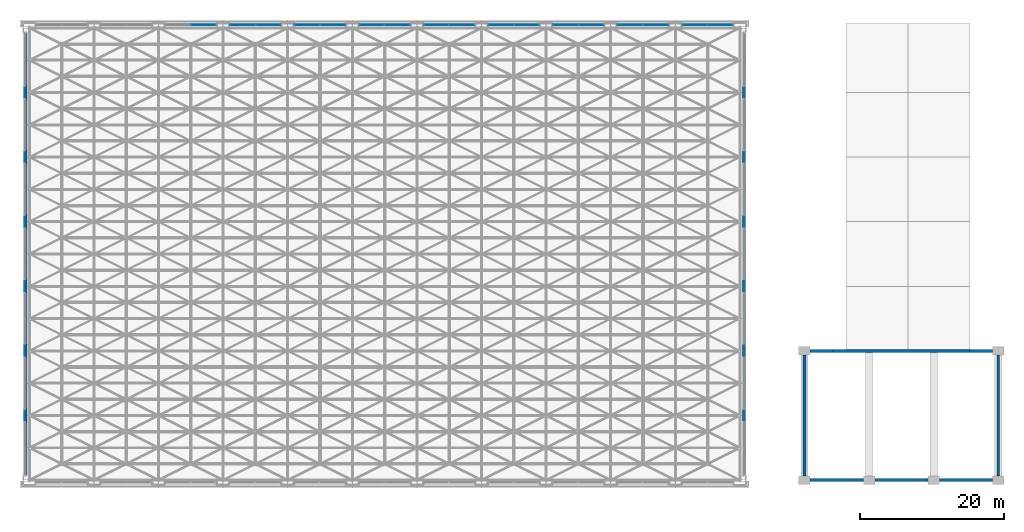
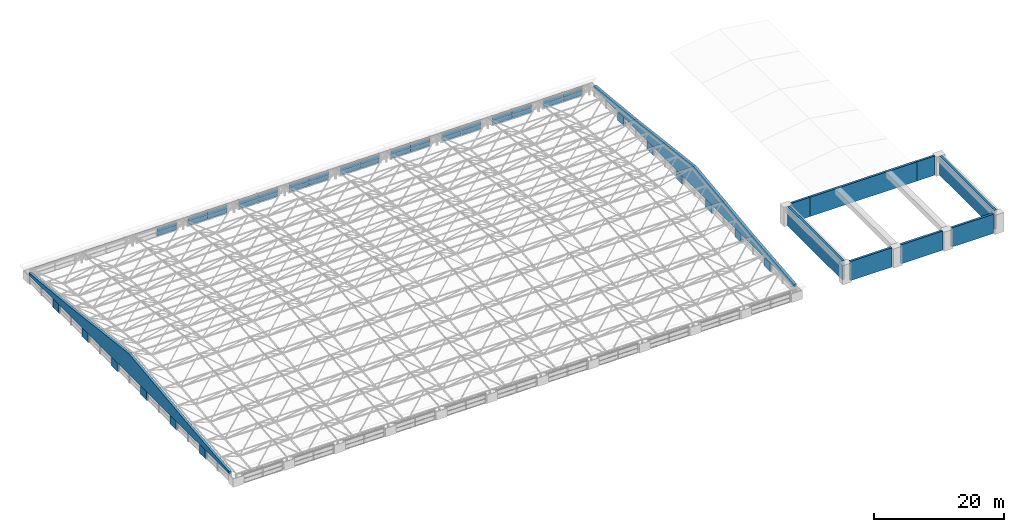
# One storey, part 26 of 53: 34 plates, 22 walls, 9 elements without a shape of their own.
"""IFC4 building model written with IfcOpenShell, lengths in metres."""

import ifcopenshell
import ifcopenshell.guid

model = None  # the IFC model being written
_history = None  # IfcOwnerHistory: only IFC2X3 demands one
_inside = {}  # id of a spatial element -> (the spatial element, [elements in it])
_under = {}  # id of a project, library or spatial element -> (it, [spatial elements below it])
_declared = {}  # id of a project -> (the project, [libraries it declares])
_typed = {}  # id of a type object -> (the type object, [elements of that type])
_made_of = {}  # id of a material, layer set ... -> (it, [elements and type objects made of it])


def new_model(schema):
    """Start an empty IFC model of exactly this schema.

    Asked for "IFC4X3", IfcOpenShell would pick the latest addendum, in which some entities
    have other attributes; the version numbers below select the first issue.
    IFC2X3 requires an IfcOwnerHistory on every rooted entity: one is made here for all.
    """
    global model, _history
    if schema == "IFC4X3":
        model = ifcopenshell.file(schema_version=(4, 3, 0, 0))
    else:
        model = ifcopenshell.file(schema=schema)
    _inside.clear()
    _under.clear()
    _declared.clear()
    _typed.clear()
    _made_of.clear()
    _history = None
    if model.schema == "IFC2X3":
        org = make("IfcOrganization", Name="unknown")
        user = make(
            "IfcPersonAndOrganization",
            ThePerson=make("IfcPerson", FamilyName="unknown"),
            TheOrganization=org,
        )
        app = make(
            "IfcApplication",
            ApplicationDeveloper=org,
            Version="unknown",
            ApplicationFullName="unknown",
            ApplicationIdentifier="unknown",
        )
        _history = make(
            "IfcOwnerHistory",
            OwningUser=user,
            OwningApplication=app,
            ChangeAction="ADDED",
            CreationDate=0,
        )
    return model


def make(cls, **values):
    """One entity of the class cls with the attributes given. An attribute that is None is left unset."""
    return model.create_entity(
        cls, **{name: value for name, value in values.items() if value is not None}
    )


def rooted(cls, **values):
    """An entity with a GlobalId (a new one), such as an element, a storey or a relation."""
    return make(cls, GlobalId=ifcopenshell.guid.new(), OwnerHistory=_history, **values)


def si_unit(unit_type, name, prefix=None):
    """IfcSIUnit, for example si_unit("LENGTHUNIT", "METRE", prefix="MILLI")."""
    return make("IfcSIUnit", UnitType=unit_type, Prefix=prefix, Name=name)


def assignment(units):
    """IfcUnitAssignment: the units of a project."""
    return None if units is None else make("IfcUnitAssignment", Units=units)


def point(xyz):
    """IfcCartesianPoint."""
    return None if xyz is None else make("IfcCartesianPoint", Coordinates=xyz)


def direction(xyz):
    """IfcDirection."""
    return None if xyz is None else make("IfcDirection", DirectionRatios=xyz)


def frame(location, z_axis=None, x_axis=None):
    """IfcAxis2Placement3D, a coordinate frame: its origin and axes. An axis left out is left unset."""
    return make(
        "IfcAxis2Placement3D",
        Location=point(location),
        Axis=direction(z_axis),
        RefDirection=direction(x_axis),
    )


def frame_2d(location, x_axis=None):
    """IfcAxis2Placement2D, a coordinate frame in the plane: its origin and x axis."""
    return make(
        "IfcAxis2Placement2D", Location=point(location), RefDirection=direction(x_axis)
    )


def origin():
    """The frame at (0, 0, 0) with its axes left unset."""
    return frame((0.0, 0.0, 0.0))


def origin_2d():
    """The frame at (0, 0) in the plane with its x axis left unset."""
    return frame_2d((0.0, 0.0))


def place(relative_to, where):
    """IfcLocalPlacement: puts the frame where relative to a parent placement (None: the world)."""
    return make(
        "IfcLocalPlacement", PlacementRelTo=relative_to, RelativePlacement=where
    )


def context(
    kind, dimensions, precision=None, world=None, true_north=None, identifier=None
):
    """IfcGeometricRepresentationContext, for example the 3D "Model" context."""
    return make(
        "IfcGeometricRepresentationContext",
        ContextIdentifier=identifier,
        ContextType=kind,
        CoordinateSpaceDimension=dimensions,
        Precision=precision,
        WorldCoordinateSystem=world,
        TrueNorth=true_north,
    )


def subcontext(parent, identifier, kind, view, scale=None):
    """IfcGeometricRepresentationSubContext, for example "Body" below "Model"."""
    return make(
        "IfcGeometricRepresentationSubContext",
        ContextIdentifier=identifier,
        ContextType=kind,
        ParentContext=parent,
        TargetScale=scale,
        TargetView=view,
    )


def project(units=None, contexts=None):
    """IfcProject with its units and contexts."""
    return rooted(
        "IfcProject",
        Name="project",
        RepresentationContexts=contexts,
        UnitsInContext=assignment(units),
    )


def spatial(cls, under=None, at=None, **own):
    """A site, building, storey or space (cls), placed at a placement, below another one or the project."""
    s = rooted(cls, ObjectPlacement=at, **own)
    if under is not None:
        _under.setdefault(under.id(), (under, []))[1].append(s)
    return s


def polyline(points):
    """IfcPolyline through the points."""
    return make("IfcPolyline", Points=[point(p) for p in points])


def profile(cls, at=None, kind="AREA", **sizes):
    """A parametric profile (cls). Its sizes go by their IFC names, for example OverallWidth=200.0."""
    return make(cls, ProfileType=kind, Position=at, **sizes)


def rectangle(**sizes):
    """IfcRectangleProfileDef."""
    return profile("IfcRectangleProfileDef", **sizes)


def outline(outer, holes=None, kind="AREA"):
    """IfcArbitraryClosedProfileDef: a profile drawn as a closed curve; with holes, ...WithVoids."""
    if holes is None:
        return make("IfcArbitraryClosedProfileDef", ProfileType=kind, OuterCurve=outer)
    return make(
        "IfcArbitraryProfileDefWithVoids",
        ProfileType=kind,
        OuterCurve=outer,
        InnerCurves=holes,
    )


def extrude(swept, where, along, depth):
    """IfcExtrudedAreaSolid: the profile swept, set in the frame where, extruded along a direction by depth."""
    return make(
        "IfcExtrudedAreaSolid",
        SweptArea=swept,
        Position=where,
        ExtrudedDirection=direction(along),
        Depth=depth,
    )


def shape(context_of_items, identifier, shape_type, items):
    """IfcShapeRepresentation: the items that make up one representation, for example the "Body"."""
    return make(
        "IfcShapeRepresentation",
        ContextOfItems=context_of_items,
        RepresentationIdentifier=identifier,
        RepresentationType=shape_type,
        Items=items,
    )


def material(Name=None, Category=None):
    """IfcMaterial."""
    return make("IfcMaterial", Name=Name, Category=Category)


def layer(
    of_material, thickness, ventilated=None, Name=None, Category=None, Priority=None
):
    """IfcMaterialLayer: one layer of a wall or slab, of a material (None: an air gap)."""
    return make(
        "IfcMaterialLayer",
        Material=of_material,
        LayerThickness=thickness,
        IsVentilated=ventilated,
        Name=Name,
        Category=Category,
        Priority=Priority,
    )


def layer_set(layers, Name=None):
    """IfcMaterialLayerSet."""
    return make("IfcMaterialLayerSet", MaterialLayers=layers, LayerSetName=Name)


def made_of(thing, what):
    """Note that an element or type object is made of a material, layer set ...; save() writes the relation."""
    if what is not None:
        _made_of.setdefault(what.id(), (what, []))[1].append(thing)
    return thing


def type_object(cls, material=None, **own):
    """A type object (cls), such as IfcWallType, which elements share."""
    return made_of(rooted(cls, **own), material)


def element(
    cls,
    number,
    at=None,
    inside=None,
    cuts=None,
    type_object=None,
    material=None,
    context=None,
    identifier="Body",
    shape_type=None,
    held_by="IfcProductDefinitionShape",
    body=None,
    shapes=None,
    **own,
):
    """One element of the class cls, such as IfcWall. Its Tag is "e" and its number.

    at: its placement. inside: the storey or other place that contains it. cuts: it is an
    opening in that element (IfcRelVoidsElement). A single representation is given by context,
    identifier, shape_type and body (its items); several are given by shapes. held_by: the class
    of the entity that holds the representations. save() writes the other relations.
    """
    e = rooted(cls, Tag="e%d" % number, ObjectPlacement=at, **own)
    if body is not None:
        shapes = [shape(context, identifier, shape_type, body)]
    if shapes is not None:
        e.Representation = make(held_by, Representations=shapes)
    if inside is not None:
        _inside.setdefault(inside.id(), (inside, []))[1].append(e)
    if cuts is not None:
        rooted(
            "IfcRelVoidsElement", RelatingBuildingElement=cuts, RelatedOpeningElement=e
        )
    if type_object is not None:
        _typed.setdefault(type_object.id(), (type_object, []))[1].append(e)
    return made_of(e, material)


def aggregate(whole, parts):
    """IfcRelAggregates: a whole, such as a stair, and the parts it consists of."""
    return rooted("IfcRelAggregates", RelatingObject=whole, RelatedObjects=parts)


def save(model, path):
    """Write the relations noted so far, then the file.

    IfcRelAggregates (storeys below a building ...), IfcRelContainedInSpatialStructure (elements
    in a storey), IfcRelDefinesByType, IfcRelAssociatesMaterial and IfcRelDeclares: one each for
    every whole, place, type object, material and project.
    """
    for whole, parts in _under.values():
        aggregate(whole, parts)
    for where, things in _inside.values():
        rooted(
            "IfcRelContainedInSpatialStructure",
            RelatedElements=things,
            RelatingStructure=where,
        )
    for kind, things in _typed.values():
        rooted("IfcRelDefinesByType", RelatedObjects=things, RelatingType=kind)
    for what, things in _made_of.values():
        rooted("IfcRelAssociatesMaterial", RelatedObjects=things, RelatingMaterial=what)
    for by, libraries in _declared.values():
        rooted("IfcRelDeclares", RelatingContext=by, RelatedDefinitions=libraries)
    model.write(path)


model = new_model("IFC4")

# Units and contexts
model_context = context("Model", 3, precision=1e-05, world=origin(), true_north=direction((0.0, 1.0)))
body_context = subcontext(model_context, "Body", "Model", "MODEL_VIEW")
ifc_project = project(units=[si_unit("LENGTHUNIT", "METRE"), si_unit("AREAUNIT", "SQUARE_METRE"), si_unit("VOLUMEUNIT", "CUBIC_METRE"), si_unit("PLANEANGLEUNIT", "RADIAN"), si_unit("MASSUNIT", "GRAM", prefix="KILO")], contexts=[model_context])

# Site, building, storey
site_placement = place(None, origin())
site = spatial("IfcSite", under=ifc_project, at=site_placement, CompositionType="ELEMENT")
building_placement = place(site_placement, origin())
building = spatial("IfcBuilding", under=site, at=building_placement, Name="Aravalli Gate Trade Fair Centre", CompositionType="ELEMENT")
storey_placement = place(building_placement, frame((0.0, 0.0, 25.199951171875)))
storey = spatial("IfcBuildingStorey", under=building, at=storey_placement, Name="ROOF LEVEL 2", CompositionType="ELEMENT", Elevation=25.199951171875)

# Curtain wall, plates
ifc_material_1 = material(Name="Aluminium, glass and louvre", Category="aluminium")
curtain_wall_type = type_object("IfcCurtainWallType", Name="Hall crown curtain wall 3000 module", PredefinedType="NOTDEFINED", material=ifc_material_1)
curtain_wall_1_placement = place(storey_placement, origin())
curtain_wall_1 = element("IfcCurtainWall", 1, at=curtain_wall_1_placement, inside=storey, type_object=curtain_wall_type, Name="Hall north crown curtain wall bay 3 ROOF LEVEL 2", PredefinedType="NOTDEFINED")
ifc_material_2 = material(Name="Aluminium louvre blades", Category="aluminium")
ifc_layer_1 = layer(ifc_material_2, 0.06005859375)
ifc_layer_set_1 = layer_set([ifc_layer_1], Name="Aluminium louvre blades")
plate_type = type_object("IfcPlateType", Name="Hall curtain wall panel, louvre 60", PredefinedType="CURTAIN_PANEL", material=ifc_layer_set_1)
plate_1_placement = place(storey_placement, frame((30.260009765625, 109.375, 0.06005859375), z_axis=(0.0, 0.0, 1.0), x_axis=(1.0, 0.0, 0.0)))
plate_1 = element("IfcPlate", 2, at=plate_1_placement, type_object=plate_type, Name="HCW1 panel 2.1", PredefinedType="CURTAIN_PANEL", context=body_context, shape_type="SweptSolid", body=[
    extrude(rectangle(XDim=3.4599609375, YDim=0.06005859375, at=origin_2d()), origin(), (0.0, 0.0, 1.0), 0.7099609375),
])
plate_2_placement = place(storey_placement, frame((30.260009765625, 109.375, 0.830078125), z_axis=(0.0, 0.0, 1.0), x_axis=(1.0, 0.0, 0.0)))
plate_2 = element("IfcPlate", 3, at=plate_2_placement, type_object=plate_type, Name="HCW1 panel 2.2", PredefinedType="CURTAIN_PANEL", context=body_context, shape_type="SweptSolid", body=[
    extrude(rectangle(XDim=3.4599609375, YDim=0.06005859375, at=origin_2d()), origin(), (0.0, 0.0, 1.0), 0.7099609375),
])
aggregate(curtain_wall_1, [plate_1, plate_2])

curtain_wall_2_placement = place(storey_placement, origin())
curtain_wall_2 = element("IfcCurtainWall", 4, at=curtain_wall_2_placement, inside=storey, type_object=curtain_wall_type, Name="Hall north crown curtain wall bay 4 ROOF LEVEL 2", PredefinedType="NOTDEFINED")
plate_3_placement = place(storey_placement, frame((35.739990234375, 109.375, 0.06005859375), z_axis=(0.0, 0.0, 1.0), x_axis=(1.0, 0.0, 0.0)))
plate_3 = element("IfcPlate", 5, at=plate_3_placement, type_object=plate_type, Name="HCW1 panel 1.1", PredefinedType="CURTAIN_PANEL", context=body_context, shape_type="SweptSolid", body=[
    extrude(rectangle(XDim=3.4599609375, YDim=0.06005859375, at=origin_2d()), origin(), (0.0, 0.0, 1.0), 0.7099609375),
])
plate_4_placement = place(storey_placement, frame((35.739990234375, 109.375, 0.830078125), z_axis=(0.0, 0.0, 1.0), x_axis=(1.0, 0.0, 0.0)))
plate_4 = element("IfcPlate", 6, at=plate_4_placement, type_object=plate_type, Name="HCW1 panel 1.2", PredefinedType="CURTAIN_PANEL", context=body_context, shape_type="SweptSolid", body=[
    extrude(rectangle(XDim=3.4599609375, YDim=0.06005859375, at=origin_2d()), origin(), (0.0, 0.0, 1.0), 0.7099609375),
])
plate_5_placement = place(storey_placement, frame((39.260009765625, 109.375, 0.06005859375), z_axis=(0.0, 0.0, 1.0), x_axis=(1.0, 0.0, 0.0)))
plate_5 = element("IfcPlate", 7, at=plate_5_placement, type_object=plate_type, Name="HCW1 panel 2.1", PredefinedType="CURTAIN_PANEL", context=body_context, shape_type="SweptSolid", body=[
    extrude(rectangle(XDim=3.4599609375, YDim=0.06005859375, at=origin_2d()), origin(), (0.0, 0.0, 1.0), 0.7099609375),
])
plate_6_placement = place(storey_placement, frame((39.260009765625, 109.375, 0.830078125), z_axis=(0.0, 0.0, 1.0), x_axis=(1.0, 0.0, 0.0)))
plate_6 = element("IfcPlate", 8, at=plate_6_placement, type_object=plate_type, Name="HCW1 panel 2.2", PredefinedType="CURTAIN_PANEL", context=body_context, shape_type="SweptSolid", body=[
    extrude(rectangle(XDim=3.4599609375, YDim=0.06005859375, at=origin_2d()), origin(), (0.0, 0.0, 1.0), 0.7099609375),
])
aggregate(curtain_wall_2, [plate_3, plate_4, plate_5, plate_6])

curtain_wall_3_placement = place(storey_placement, origin())
curtain_wall_3 = element("IfcCurtainWall", 9, at=curtain_wall_3_placement, inside=storey, type_object=curtain_wall_type, Name="Hall north crown curtain wall bay 5 ROOF LEVEL 2", PredefinedType="NOTDEFINED")
plate_7_placement = place(storey_placement, frame((44.739990234375, 109.375, 0.06005859375), z_axis=(0.0, 0.0, 1.0), x_axis=(1.0, 0.0, 0.0)))
plate_7 = element("IfcPlate", 10, at=plate_7_placement, type_object=plate_type, Name="HCW1 panel 1.1", PredefinedType="CURTAIN_PANEL", context=body_context, shape_type="SweptSolid", body=[
    extrude(rectangle(XDim=3.4599609375, YDim=0.06005859375, at=origin_2d()), origin(), (0.0, 0.0, 1.0), 0.7099609375),
])
plate_8_placement = place(storey_placement, frame((44.739990234375, 109.375, 0.830078125), z_axis=(0.0, 0.0, 1.0), x_axis=(1.0, 0.0, 0.0)))
plate_8 = element("IfcPlate", 11, at=plate_8_placement, type_object=plate_type, Name="HCW1 panel 1.2", PredefinedType="CURTAIN_PANEL", context=body_context, shape_type="SweptSolid", body=[
    extrude(rectangle(XDim=3.4599609375, YDim=0.06005859375, at=origin_2d()), origin(), (0.0, 0.0, 1.0), 0.7099609375),
])
plate_9_placement = place(storey_placement, frame((48.260009765625, 109.375, 0.06005859375), z_axis=(0.0, 0.0, 1.0), x_axis=(1.0, 0.0, 0.0)))
plate_9 = element("IfcPlate", 12, at=plate_9_placement, type_object=plate_type, Name="HCW1 panel 2.1", PredefinedType="CURTAIN_PANEL", context=body_context, shape_type="SweptSolid", body=[
    extrude(rectangle(XDim=3.4599609375, YDim=0.06005859375, at=origin_2d()), origin(), (0.0, 0.0, 1.0), 0.7099609375),
])
plate_10_placement = place(storey_placement, frame((48.260009765625, 109.375, 0.830078125), z_axis=(0.0, 0.0, 1.0), x_axis=(1.0, 0.0, 0.0)))
plate_10 = element("IfcPlate", 13, at=plate_10_placement, type_object=plate_type, Name="HCW1 panel 2.2", PredefinedType="CURTAIN_PANEL", context=body_context, shape_type="SweptSolid", body=[
    extrude(rectangle(XDim=3.4599609375, YDim=0.06005859375, at=origin_2d()), origin(), (0.0, 0.0, 1.0), 0.7099609375),
])
aggregate(curtain_wall_3, [plate_7, plate_8, plate_9, plate_10])

curtain_wall_4_placement = place(storey_placement, origin())
curtain_wall_4 = element("IfcCurtainWall", 14, at=curtain_wall_4_placement, inside=storey, type_object=curtain_wall_type, Name="Hall north crown curtain wall bay 6 ROOF LEVEL 2", PredefinedType="NOTDEFINED")
plate_11_placement = place(storey_placement, frame((53.739990234375, 109.375, 0.06005859375), z_axis=(0.0, 0.0, 1.0), x_axis=(1.0, 0.0, 0.0)))
plate_11 = element("IfcPlate", 15, at=plate_11_placement, type_object=plate_type, Name="HCW1 panel 1.1", PredefinedType="CURTAIN_PANEL", context=body_context, shape_type="SweptSolid", body=[
    extrude(rectangle(XDim=3.4599609375, YDim=0.06005859375, at=origin_2d()), origin(), (0.0, 0.0, 1.0), 0.7099609375),
])
plate_12_placement = place(storey_placement, frame((53.739990234375, 109.375, 0.830078125), z_axis=(0.0, 0.0, 1.0), x_axis=(1.0, 0.0, 0.0)))
plate_12 = element("IfcPlate", 16, at=plate_12_placement, type_object=plate_type, Name="HCW1 panel 1.2", PredefinedType="CURTAIN_PANEL", context=body_context, shape_type="SweptSolid", body=[
    extrude(rectangle(XDim=3.4599609375, YDim=0.06005859375, at=origin_2d()), origin(), (0.0, 0.0, 1.0), 0.7099609375),
])
plate_13_placement = place(storey_placement, frame((57.260009765625, 109.375, 0.06005859375), z_axis=(0.0, 0.0, 1.0), x_axis=(1.0, 0.0, 0.0)))
plate_13 = element("IfcPlate", 17, at=plate_13_placement, type_object=plate_type, Name="HCW1 panel 2.1", PredefinedType="CURTAIN_PANEL", context=body_context, shape_type="SweptSolid", body=[
    extrude(rectangle(XDim=3.4599609375, YDim=0.06005859375, at=origin_2d()), origin(), (0.0, 0.0, 1.0), 0.7099609375),
])
plate_14_placement = place(storey_placement, frame((57.260009765625, 109.375, 0.830078125), z_axis=(0.0, 0.0, 1.0), x_axis=(1.0, 0.0, 0.0)))
plate_14 = element("IfcPlate", 18, at=plate_14_placement, type_object=plate_type, Name="HCW1 panel 2.2", PredefinedType="CURTAIN_PANEL", context=body_context, shape_type="SweptSolid", body=[
    extrude(rectangle(XDim=3.4599609375, YDim=0.06005859375, at=origin_2d()), origin(), (0.0, 0.0, 1.0), 0.7099609375),
])
aggregate(curtain_wall_4, [plate_11, plate_12, plate_13, plate_14])

curtain_wall_5_placement = place(storey_placement, origin())
curtain_wall_5 = element("IfcCurtainWall", 19, at=curtain_wall_5_placement, inside=storey, type_object=curtain_wall_type, Name="Hall north crown curtain wall bay 7 ROOF LEVEL 2", PredefinedType="NOTDEFINED")
plate_15_placement = place(storey_placement, frame((62.739990234375, 109.375, 0.06005859375), z_axis=(0.0, 0.0, 1.0), x_axis=(1.0, 0.0, 0.0)))
plate_15 = element("IfcPlate", 20, at=plate_15_placement, type_object=plate_type, Name="HCW1 panel 1.1", PredefinedType="CURTAIN_PANEL", context=body_context, shape_type="SweptSolid", body=[
    extrude(rectangle(XDim=3.4599609375, YDim=0.06005859375, at=origin_2d()), origin(), (0.0, 0.0, 1.0), 0.7099609375),
])
plate_16_placement = place(storey_placement, frame((62.739990234375, 109.375, 0.830078125), z_axis=(0.0, 0.0, 1.0), x_axis=(1.0, 0.0, 0.0)))
plate_16 = element("IfcPlate", 21, at=plate_16_placement, type_object=plate_type, Name="HCW1 panel 1.2", PredefinedType="CURTAIN_PANEL", context=body_context, shape_type="SweptSolid", body=[
    extrude(rectangle(XDim=3.4599609375, YDim=0.06005859375, at=origin_2d()), origin(), (0.0, 0.0, 1.0), 0.7099609375),
])
plate_17_placement = place(storey_placement, frame((66.260009765625, 109.375, 0.06005859375), z_axis=(0.0, 0.0, 1.0), x_axis=(1.0, 0.0, 0.0)))
plate_17 = element("IfcPlate", 22, at=plate_17_placement, type_object=plate_type, Name="HCW1 panel 2.1", PredefinedType="CURTAIN_PANEL", context=body_context, shape_type="SweptSolid", body=[
    extrude(rectangle(XDim=3.4599609375, YDim=0.06005859375, at=origin_2d()), origin(), (0.0, 0.0, 1.0), 0.7099609375),
])
plate_18_placement = place(storey_placement, frame((66.260009765625, 109.375, 0.830078125), z_axis=(0.0, 0.0, 1.0), x_axis=(1.0, 0.0, 0.0)))
plate_18 = element("IfcPlate", 23, at=plate_18_placement, type_object=plate_type, Name="HCW1 panel 2.2", PredefinedType="CURTAIN_PANEL", context=body_context, shape_type="SweptSolid", body=[
    extrude(rectangle(XDim=3.4599609375, YDim=0.06005859375, at=origin_2d()), origin(), (0.0, 0.0, 1.0), 0.7099609375),
])
aggregate(curtain_wall_5, [plate_15, plate_16, plate_17, plate_18])

curtain_wall_6_placement = place(storey_placement, origin())
curtain_wall_6 = element("IfcCurtainWall", 24, at=curtain_wall_6_placement, inside=storey, type_object=curtain_wall_type, Name="Hall north crown curtain wall bay 8 ROOF LEVEL 2", PredefinedType="NOTDEFINED")
plate_19_placement = place(storey_placement, frame((71.739990234375, 109.375, 0.06005859375), z_axis=(0.0, 0.0, 1.0), x_axis=(1.0, 0.0, 0.0)))
plate_19 = element("IfcPlate", 25, at=plate_19_placement, type_object=plate_type, Name="HCW1 panel 1.1", PredefinedType="CURTAIN_PANEL", context=body_context, shape_type="SweptSolid", body=[
    extrude(rectangle(XDim=3.4599609375, YDim=0.06005859375, at=origin_2d()), origin(), (0.0, 0.0, 1.0), 0.7099609375),
])
plate_20_placement = place(storey_placement, frame((71.739990234375, 109.375, 0.830078125), z_axis=(0.0, 0.0, 1.0), x_axis=(1.0, 0.0, 0.0)))
plate_20 = element("IfcPlate", 26, at=plate_20_placement, type_object=plate_type, Name="HCW1 panel 1.2", PredefinedType="CURTAIN_PANEL", context=body_context, shape_type="SweptSolid", body=[
    extrude(rectangle(XDim=3.4599609375, YDim=0.06005859375, at=origin_2d()), origin(), (0.0, 0.0, 1.0), 0.7099609375),
])
plate_21_placement = place(storey_placement, frame((75.260009765625, 109.375, 0.06005859375), z_axis=(0.0, 0.0, 1.0), x_axis=(1.0, 0.0, 0.0)))
plate_21 = element("IfcPlate", 27, at=plate_21_placement, type_object=plate_type, Name="HCW1 panel 2.1", PredefinedType="CURTAIN_PANEL", context=body_context, shape_type="SweptSolid", body=[
    extrude(rectangle(XDim=3.4599609375, YDim=0.06005859375, at=origin_2d()), origin(), (0.0, 0.0, 1.0), 0.7099609375),
])
plate_22_placement = place(storey_placement, frame((75.260009765625, 109.375, 0.830078125), z_axis=(0.0, 0.0, 1.0), x_axis=(1.0, 0.0, 0.0)))
plate_22 = element("IfcPlate", 28, at=plate_22_placement, type_object=plate_type, Name="HCW1 panel 2.2", PredefinedType="CURTAIN_PANEL", context=body_context, shape_type="SweptSolid", body=[
    extrude(rectangle(XDim=3.4599609375, YDim=0.06005859375, at=origin_2d()), origin(), (0.0, 0.0, 1.0), 0.7099609375),
])
aggregate(curtain_wall_6, [plate_19, plate_20, plate_21, plate_22])

curtain_wall_7_placement = place(storey_placement, origin())
curtain_wall_7 = element("IfcCurtainWall", 29, at=curtain_wall_7_placement, inside=storey, type_object=curtain_wall_type, Name="Hall north crown curtain wall bay 9 ROOF LEVEL 2", PredefinedType="NOTDEFINED")
plate_23_placement = place(storey_placement, frame((80.739990234375, 109.375, 0.06005859375), z_axis=(0.0, 0.0, 1.0), x_axis=(1.0, 0.0, 0.0)))
plate_23 = element("IfcPlate", 30, at=plate_23_placement, type_object=plate_type, Name="HCW1 panel 1.1", PredefinedType="CURTAIN_PANEL", context=body_context, shape_type="SweptSolid", body=[
    extrude(rectangle(XDim=3.4599609375, YDim=0.06005859375, at=origin_2d()), origin(), (0.0, 0.0, 1.0), 0.7099609375),
])
plate_24_placement = place(storey_placement, frame((80.739990234375, 109.375, 0.830078125), z_axis=(0.0, 0.0, 1.0), x_axis=(1.0, 0.0, 0.0)))
plate_24 = element("IfcPlate", 31, at=plate_24_placement, type_object=plate_type, Name="HCW1 panel 1.2", PredefinedType="CURTAIN_PANEL", context=body_context, shape_type="SweptSolid", body=[
    extrude(rectangle(XDim=3.4599609375, YDim=0.06005859375, at=origin_2d()), origin(), (0.0, 0.0, 1.0), 0.7099609375),
])
plate_25_placement = place(storey_placement, frame((84.260009765625, 109.375, 0.06005859375), z_axis=(0.0, 0.0, 1.0), x_axis=(1.0, 0.0, 0.0)))
plate_25 = element("IfcPlate", 32, at=plate_25_placement, type_object=plate_type, Name="HCW1 panel 2.1", PredefinedType="CURTAIN_PANEL", context=body_context, shape_type="SweptSolid", body=[
    extrude(rectangle(XDim=3.4599609375, YDim=0.06005859375, at=origin_2d()), origin(), (0.0, 0.0, 1.0), 0.7099609375),
])
plate_26_placement = place(storey_placement, frame((84.260009765625, 109.375, 0.830078125), z_axis=(0.0, 0.0, 1.0), x_axis=(1.0, 0.0, 0.0)))
plate_26 = element("IfcPlate", 33, at=plate_26_placement, type_object=plate_type, Name="HCW1 panel 2.2", PredefinedType="CURTAIN_PANEL", context=body_context, shape_type="SweptSolid", body=[
    extrude(rectangle(XDim=3.4599609375, YDim=0.06005859375, at=origin_2d()), origin(), (0.0, 0.0, 1.0), 0.7099609375),
])
aggregate(curtain_wall_7, [plate_23, plate_24, plate_25, plate_26])

curtain_wall_8_placement = place(storey_placement, origin())
curtain_wall_8 = element("IfcCurtainWall", 34, at=curtain_wall_8_placement, inside=storey, type_object=curtain_wall_type, Name="Hall north crown curtain wall bay 10 ROOF LEVEL 2", PredefinedType="NOTDEFINED")
plate_27_placement = place(storey_placement, frame((89.739990234375, 109.375, 0.06005859375), z_axis=(0.0, 0.0, 1.0), x_axis=(1.0, 0.0, 0.0)))
plate_27 = element("IfcPlate", 35, at=plate_27_placement, type_object=plate_type, Name="HCW1 panel 1.1", PredefinedType="CURTAIN_PANEL", context=body_context, shape_type="SweptSolid", body=[
    extrude(rectangle(XDim=3.4599609375, YDim=0.06005859375, at=origin_2d()), origin(), (0.0, 0.0, 1.0), 0.7099609375),
])
plate_28_placement = place(storey_placement, frame((89.739990234375, 109.375, 0.830078125), z_axis=(0.0, 0.0, 1.0), x_axis=(1.0, 0.0, 0.0)))
plate_28 = element("IfcPlate", 36, at=plate_28_placement, type_object=plate_type, Name="HCW1 panel 1.2", PredefinedType="CURTAIN_PANEL", context=body_context, shape_type="SweptSolid", body=[
    extrude(rectangle(XDim=3.4599609375, YDim=0.06005859375, at=origin_2d()), origin(), (0.0, 0.0, 1.0), 0.7099609375),
])
plate_29_placement = place(storey_placement, frame((93.260009765625, 109.375, 0.06005859375), z_axis=(0.0, 0.0, 1.0), x_axis=(1.0, 0.0, 0.0)))
plate_29 = element("IfcPlate", 37, at=plate_29_placement, type_object=plate_type, Name="HCW1 panel 2.1", PredefinedType="CURTAIN_PANEL", context=body_context, shape_type="SweptSolid", body=[
    extrude(rectangle(XDim=3.4599609375, YDim=0.06005859375, at=origin_2d()), origin(), (0.0, 0.0, 1.0), 0.7099609375),
])
plate_30_placement = place(storey_placement, frame((93.260009765625, 109.375, 0.830078125), z_axis=(0.0, 0.0, 1.0), x_axis=(1.0, 0.0, 0.0)))
plate_30 = element("IfcPlate", 38, at=plate_30_placement, type_object=plate_type, Name="HCW1 panel 2.2", PredefinedType="CURTAIN_PANEL", context=body_context, shape_type="SweptSolid", body=[
    extrude(rectangle(XDim=3.4599609375, YDim=0.06005859375, at=origin_2d()), origin(), (0.0, 0.0, 1.0), 0.7099609375),
])
aggregate(curtain_wall_8, [plate_27, plate_28, plate_29, plate_30])

curtain_wall_9_placement = place(storey_placement, origin())
curtain_wall_9 = element("IfcCurtainWall", 39, at=curtain_wall_9_placement, inside=storey, type_object=curtain_wall_type, Name="Hall north crown curtain wall bay 11 ROOF LEVEL 2", PredefinedType="NOTDEFINED")
plate_31_placement = place(storey_placement, frame((98.739990234375, 109.375, 0.06005859375), z_axis=(0.0, 0.0, 1.0), x_axis=(1.0, 0.0, 0.0)))
plate_31 = element("IfcPlate", 40, at=plate_31_placement, type_object=plate_type, Name="HCW1 panel 1.1", PredefinedType="CURTAIN_PANEL", context=body_context, shape_type="SweptSolid", body=[
    extrude(rectangle(XDim=3.4599609375, YDim=0.06005859375, at=origin_2d()), origin(), (0.0, 0.0, 1.0), 0.7099609375),
])
plate_32_placement = place(storey_placement, frame((98.739990234375, 109.375, 0.830078125), z_axis=(0.0, 0.0, 1.0), x_axis=(1.0, 0.0, 0.0)))
plate_32 = element("IfcPlate", 41, at=plate_32_placement, type_object=plate_type, Name="HCW1 panel 1.2", PredefinedType="CURTAIN_PANEL", context=body_context, shape_type="SweptSolid", body=[
    extrude(rectangle(XDim=3.4599609375, YDim=0.06005859375, at=origin_2d()), origin(), (0.0, 0.0, 1.0), 0.7099609375),
])
plate_33_placement = place(storey_placement, frame((102.260009765625, 109.375, 0.06005859375), z_axis=(0.0, 0.0, 1.0), x_axis=(1.0, 0.0, 0.0)))
plate_33 = element("IfcPlate", 42, at=plate_33_placement, type_object=plate_type, Name="HCW1 panel 2.1", PredefinedType="CURTAIN_PANEL", context=body_context, shape_type="SweptSolid", body=[
    extrude(rectangle(XDim=3.4599609375, YDim=0.06005859375, at=origin_2d()), origin(), (0.0, 0.0, 1.0), 0.7099609375),
])
plate_34_placement = place(storey_placement, frame((102.260009765625, 109.375, 0.830078125), z_axis=(0.0, 0.0, 1.0), x_axis=(1.0, 0.0, 0.0)))
plate_34 = element("IfcPlate", 43, at=plate_34_placement, type_object=plate_type, Name="HCW1 panel 2.2", PredefinedType="CURTAIN_PANEL", context=body_context, shape_type="SweptSolid", body=[
    extrude(rectangle(XDim=3.4599609375, YDim=0.06005859375, at=origin_2d()), origin(), (0.0, 0.0, 1.0), 0.7099609375),
])
aggregate(curtain_wall_9, [plate_31, plate_32, plate_33, plate_34])

# Walls
ifc_material_3 = material(Name="Concrete M40", Category="concrete")
ifc_layer_2 = layer(ifc_material_3, 0.39990234375)
ifc_layer_set_2 = layer_set([ifc_layer_2], Name="Concrete M40")
wall_type_1 = type_object("IfcWallType", Name="Congress RC wall 400", PredefinedType="SHEAR", material=ifc_layer_set_2)
for number, where, z_axis, x_axis, name in (
    (44, (114.0, 46.60009765625, 0.0), (0.0, 0.0, 1.0), (0.0, 1.0, 0.0), "Stage house wall line 114 ROOF LEVEL 2"),
    (45, (141.0, 46.60009765625, 0.0), (0.0, 0.0, 1.0), (0.0, 1.0, 0.0), "Stage house wall line 141 ROOF LEVEL 2"),
):
    element("IfcWall", number, at=place(storey_placement, frame(where, z_axis=z_axis, x_axis=x_axis)), inside=storey, type_object=wall_type_1, Name=name, PredefinedType="SHEAR", context=body_context, shape_type="SweptSolid", body=[
        extrude(rectangle(XDim=16.7998046875, YDim=0.39990234375, at=frame_2d((8.39990234375, 0.0))), origin(), (0.0, 0.0, 1.0), 3.60009765625),
    ])
for number, where, z_axis, x_axis, name in (
    (46, (114.800048828125, 64.0, 0.0), (0.0, 0.0, 1.0), (1.0, 0.0, 0.0), "Proscenium wall W ROOF LEVEL 2"),
    (47, (137.0, 64.0, 0.0), (0.0, 0.0, 1.0), (1.0, 0.0, 0.0), "Proscenium wall E ROOF LEVEL 2"),
):
    element("IfcWall", number, at=place(storey_placement, frame(where, z_axis=z_axis, x_axis=x_axis)), inside=storey, type_object=wall_type_1, Name=name, PredefinedType="SHEAR", context=body_context, shape_type="SweptSolid", body=[
        extrude(rectangle(XDim=3.199951171875, YDim=0.39990234375, at=frame_2d((1.60009765625, 0.0))), origin(), (0.0, 0.0, 1.0), 3.60009765625),
    ])
wall_1_placement = place(storey_placement, frame((118.0, 64.0, 0.0), z_axis=(0.0, 0.0, 1.0), x_axis=(1.0, 0.0, 0.0)))
element("IfcWall", 48, at=wall_1_placement, inside=storey, type_object=wall_type_1, Name="Proscenium wall above the opening ROOF LEVEL 2", PredefinedType="SHEAR", context=body_context, shape_type="SweptSolid", body=[
    extrude(rectangle(XDim=19.0, YDim=0.39990234375, at=frame_2d((9.5, 0.0))), origin(), (0.0, 0.0, 1.0), 3.60009765625),
])
ifc_layer_3 = layer(ifc_material_3, 0.25, Name="Structural wall")
ifc_material_4 = material(Name="Ventilated air cavity")
ifc_layer_4 = layer(ifc_material_4, 0.050048828125, ventilated=True, Name="Ventilated cavity")
ifc_material_5 = material(Name="Terracotta rainscreen", Category="masonry")
ifc_layer_5 = layer(ifc_material_5, 0.10009765625, Name="Rainscreen cladding")
ifc_layer_set_3 = layer_set([ifc_layer_3, ifc_layer_4, ifc_layer_5], Name="Congress external wall 400")
wall_type_2 = type_object("IfcWallType", Name="Congress external wall 400", PredefinedType="SOLIDWALL", material=ifc_layer_set_3)
for number, where, z_axis, x_axis, name in (
    (49, (114.800048828125, 46.0, 0.0), (0.0, 0.0, 1.0), (1.0, 0.0, 0.0), "Stage house south wall ROOF LEVEL 2 bay 2"),
    (50, (123.800048828125, 46.0, 0.0), (0.0, 0.0, 1.0), (1.0, 0.0, 0.0), "Stage house south wall ROOF LEVEL 2 bay 3"),
    (51, (132.800048828125, 46.0, 0.0), (0.0, 0.0, 1.0), (1.0, 0.0, 0.0), "Stage house south wall ROOF LEVEL 2 bay 4"),
):
    element("IfcWall", number, at=place(storey_placement, frame(where, z_axis=z_axis, x_axis=x_axis)), inside=storey, type_object=wall_type_2, Name=name, PredefinedType="SOLIDWALL", context=body_context, shape_type="SweptSolid", body=[
        extrude(rectangle(XDim=7.39990234375, YDim=0.39990234375, at=frame_2d((3.699951171875, 0.0))), origin(), (0.0, 0.0, 1.0), 3.60009765625),
    ])
ifc_layer_6 = layer(ifc_material_3, 0.25, Name="Structural wall")
ifc_layer_7 = layer(ifc_material_4, 0.10009765625, ventilated=True, Name="Ventilated cavity")
ifc_layer_8 = layer(ifc_material_5, 0.10009765625, Name="Rainscreen cladding")
ifc_layer_set_4 = layer_set([ifc_layer_6, ifc_layer_7, ifc_layer_8], Name="Hall external wall 450")
wall_type_3 = type_object("IfcWallType", Name="Hall external wall 450", PredefinedType="SOLIDWALL", material=ifc_layer_set_4)
for number, where, z_axis, x_axis, name in (
    (52, (5.425048828125, 54.10009765625, 0.0), (0.0, 0.0, 1.0), (0.0, 1.0, 0.0), "Hall west crown pier 1 ROOF LEVEL 2"),
    (53, (5.425048828125, 63.10009765625, 0.0), (0.0, 0.0, 1.0), (0.0, 1.0, 0.0), "Hall west crown pier 2 ROOF LEVEL 2"),
    (54, (5.425048828125, 72.10009765625, 0.0), (0.0, 0.0, 1.0), (0.0, 1.0, 0.0), "Hall west crown pier 3 ROOF LEVEL 2"),
    (55, (5.425048828125, 81.10009765625, 0.0), (0.0, 0.0, 1.0), (0.0, 1.0, 0.0), "Hall west crown pier 4 ROOF LEVEL 2"),
    (56, (5.425048828125, 90.10009765625, 0.0), (0.0, 0.0, 1.0), (0.0, 1.0, 0.0), "Hall west crown pier 5 ROOF LEVEL 2"),
    (57, (5.425048828125, 99.10009765625, 0.0), (0.0, 0.0, 1.0), (0.0, 1.0, 0.0), "Hall west crown pier 6 ROOF LEVEL 2"),
):
    element("IfcWall", number, at=place(storey_placement, frame(where, z_axis=z_axis, x_axis=x_axis)), inside=storey, type_object=wall_type_3, Name=name, PredefinedType="SOLIDWALL", context=body_context, shape_type="SweptSolid", body=[
        extrude(rectangle(XDim=1.7998046875, YDim=0.449951171875, at=frame_2d((0.89990234375, 0.0))), origin(), (0.0, 0.0, 1.0), 1.60009765625),
    ])
wall_2_placement = place(storey_placement, frame((5.425048828125, 46.75, 1.60009765625), z_axis=(0.0, 0.0, 1.0), x_axis=(0.0, 1.0, 0.0)))
element("IfcWall", 58, at=wall_2_placement, inside=storey, type_object=wall_type_3, Name="Hall west gable pediment ROOF LEVEL 2", PredefinedType="SOLIDWALL", context=body_context, shape_type="SweptSolid", body=[
    extrude(outline(polyline([(0.0, 0.0), (61.5, 0.0), (61.5, 0.411376953125), (57.75, 0.786376953125), (53.25, 1.236572265625), (48.75, 1.6865234375), (44.25, 2.236572265625), (39.75, 2.786376953125), (35.25, 3.326416015625), (30.75, 3.866455078125), (26.25, 3.326416015625), (21.75, 2.786376953125), (17.25, 2.236572265625), (12.75, 1.6865234375), (8.25, 1.236572265625), (3.75, 0.786376953125), (0.0, 0.411376953125), (0.0, 0.0)])), frame((0.0, 0.22509765625, 0.0), z_axis=(0.0, -1.0, 0.0), x_axis=(1.0, 0.0, 0.0)), (0.0, 0.0, 1.0), 0.449951171875),
])
for number, where, z_axis, x_axis, name in (
    (59, (105.574951171875, 54.10009765625, 0.0), (0.0, 0.0, 1.0), (0.0, 1.0, 0.0), "Hall east crown pier 1 ROOF LEVEL 2"),
    (60, (105.574951171875, 63.10009765625, 0.0), (0.0, 0.0, 1.0), (0.0, 1.0, 0.0), "Hall east crown pier 2 ROOF LEVEL 2"),
    (61, (105.574951171875, 72.10009765625, 0.0), (0.0, 0.0, 1.0), (0.0, 1.0, 0.0), "Hall east crown pier 3 ROOF LEVEL 2"),
    (62, (105.574951171875, 81.10009765625, 0.0), (0.0, 0.0, 1.0), (0.0, 1.0, 0.0), "Hall east crown pier 4 ROOF LEVEL 2"),
    (63, (105.574951171875, 90.10009765625, 0.0), (0.0, 0.0, 1.0), (0.0, 1.0, 0.0), "Hall east crown pier 5 ROOF LEVEL 2"),
    (64, (105.574951171875, 99.10009765625, 0.0), (0.0, 0.0, 1.0), (0.0, 1.0, 0.0), "Hall east crown pier 6 ROOF LEVEL 2"),
):
    element("IfcWall", number, at=place(storey_placement, frame(where, z_axis=z_axis, x_axis=x_axis)), inside=storey, type_object=wall_type_3, Name=name, PredefinedType="SOLIDWALL", context=body_context, shape_type="SweptSolid", body=[
        extrude(rectangle(XDim=1.7998046875, YDim=0.449951171875, at=frame_2d((0.89990234375, 0.0))), origin(), (0.0, 0.0, 1.0), 1.60009765625),
    ])
wall_3_placement = place(storey_placement, frame((105.574951171875, 46.75, 1.60009765625), z_axis=(0.0, 0.0, 1.0), x_axis=(0.0, 1.0, 0.0)))
element("IfcWall", 65, at=wall_3_placement, inside=storey, type_object=wall_type_3, Name="Hall east gable pediment ROOF LEVEL 2", PredefinedType="SOLIDWALL", context=body_context, shape_type="SweptSolid", body=[
    extrude(outline(polyline([(0.0, 0.0), (61.5, 0.0), (61.5, 0.411376953125), (57.75, 0.786376953125), (53.25, 1.236572265625), (48.75, 1.6865234375), (44.25, 2.236572265625), (39.75, 2.786376953125), (35.25, 3.326416015625), (30.75, 3.866455078125), (26.25, 3.326416015625), (21.75, 2.786376953125), (17.25, 2.236572265625), (12.75, 1.6865234375), (8.25, 1.236572265625), (3.75, 0.786376953125), (0.0, 0.411376953125), (0.0, 0.0)])), frame((0.0, 0.22509765625, 0.0), z_axis=(0.0, -1.0, 0.0), x_axis=(1.0, 0.0, 0.0)), (0.0, 0.0, 1.0), 0.449951171875),
])

save(model, "model.ifc")
